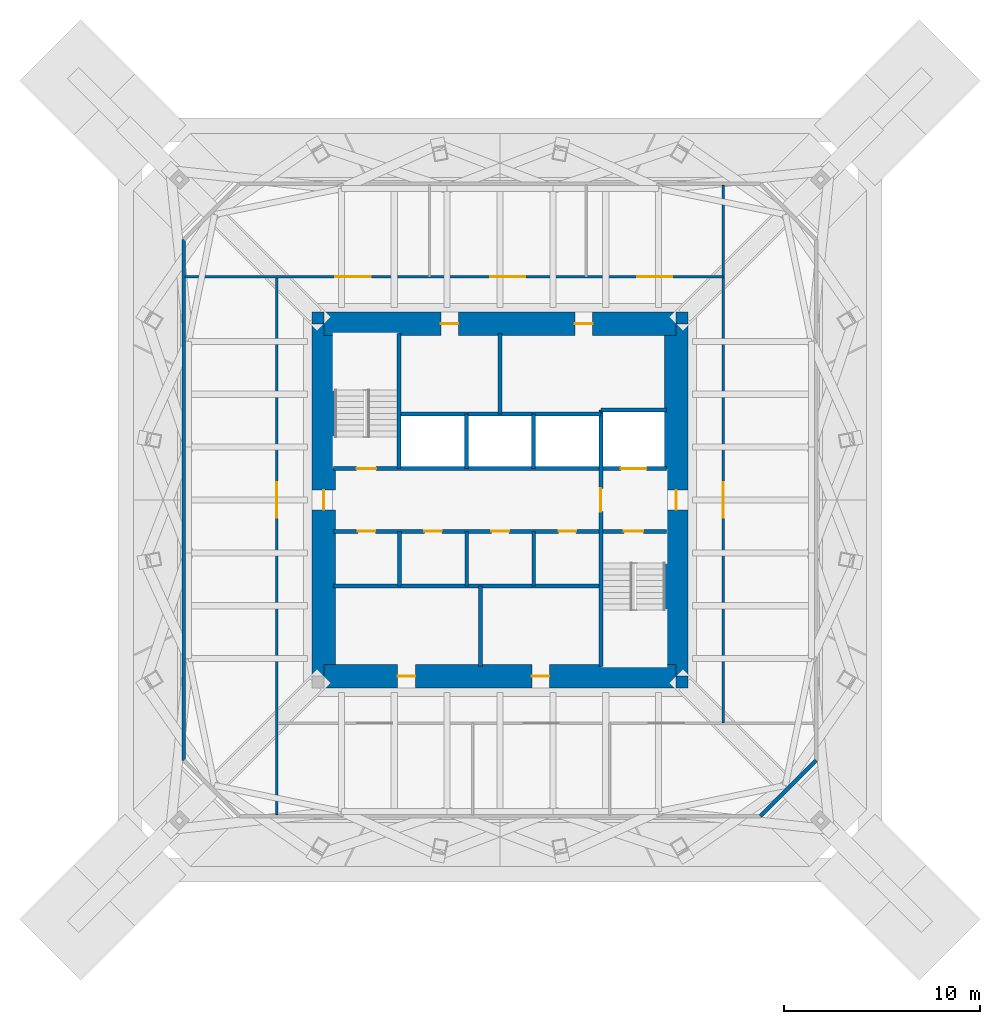
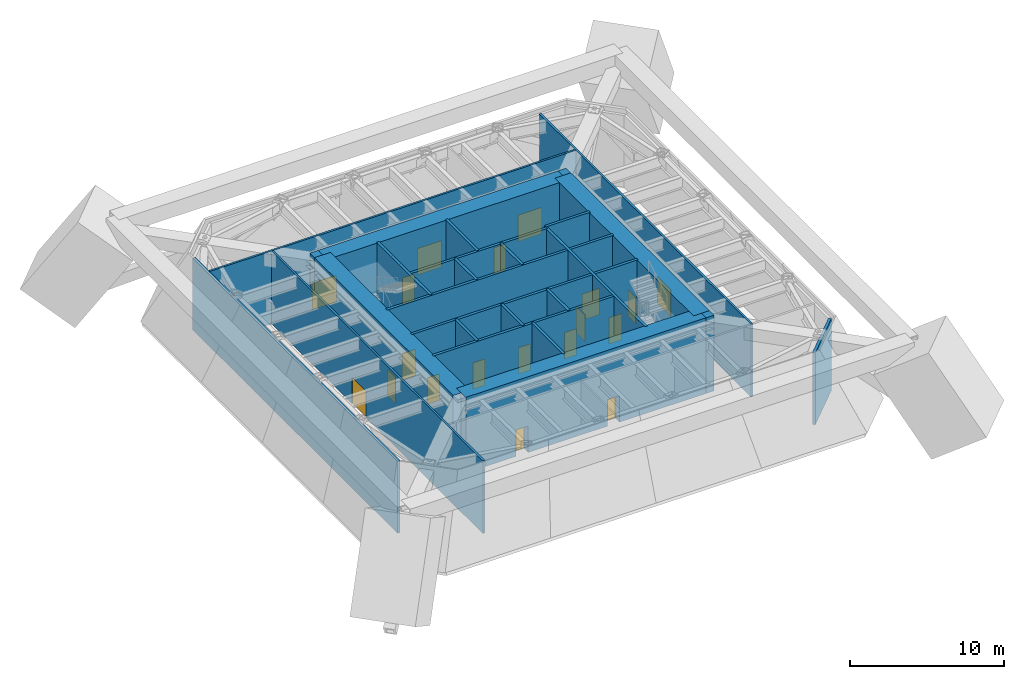
# One storey, part 4 of 6: 26 walls, 19 doors, 19 openings.
"""IFC4 building model written with IfcOpenShell, lengths in metres."""

from ifc_helpers import new_model, si_unit, direction, frame, frame_2d, origin, place, context, subcontext, project, spatial, rectangle, extrude, material, layer, layer_set, type_object, element, fill, save


model = new_model("IFC4")

# Units and contexts
model_context = context("Model", 3, precision=1e-05, world=origin(), true_north=direction((0.0, 1.0)))
body_context = subcontext(model_context, "Body", "Model", "MODEL_VIEW")
ifc_project = project(units=[si_unit("LENGTHUNIT", "METRE"), si_unit("AREAUNIT", "SQUARE_METRE"), si_unit("VOLUMEUNIT", "CUBIC_METRE"), si_unit("PLANEANGLEUNIT", "RADIAN"), si_unit("MASSUNIT", "GRAM", prefix="KILO")], contexts=[model_context])

# Site, building, storey
site_placement = place(None, origin())
site = spatial("IfcSite", under=ifc_project, at=site_placement, CompositionType="ELEMENT")
building_placement = place(site_placement, origin())
building = spatial("IfcBuilding", under=site, at=building_placement, Name="Iwan Alto Co-Living Towers", CompositionType="ELEMENT")
storey_placement = place(building_placement, frame((0.0, 0.0, 209.0)))
storey = spatial("IfcBuildingStorey", under=building, at=storey_placement, Name="L57", CompositionType="ELEMENT", Elevation=209.0)

# Wall, openings, doors
ifc_material_1 = material(Name="Gypsum board")
ifc_layer_1 = layer(ifc_material_1, 0.02490234375, Name="Board", Category="Finish")
ifc_material_2 = material(Name="Steel ASTM A1003 ST33H cold-formed studs", Category="steel")
ifc_layer_2 = layer(ifc_material_2, 0.10009765625, Name="Studs", Category="Framing")
ifc_layer_3 = layer(ifc_material_1, 0.02490234375, Name="Board", Category="Finish")
ifc_layer_set_1 = layer_set([ifc_layer_1, ifc_layer_2, ifc_layer_3], Name="CORRIDOR WALL 150")
wall_type_1 = type_object("IfcWallType", Name="CORRIDOR WALL 150", PredefinedType="PARTITIONING", material=ifc_layer_set_1)
wall_1_placement = place(storey_placement, frame((-16.090087890625, 11.39990234375, 0.0), z_axis=(0.0, 0.0, 1.0), x_axis=(1.0, 0.0, 0.0)))
wall_1 = element("IfcWall", 1, at=wall_1_placement, inside=storey, type_object=wall_type_1, Name="Partition L57", PredefinedType="PARTITIONING", context=body_context, shape_type="SweptSolid", body=[
    extrude(rectangle(XDim=27.489990234375, YDim=0.14990234375, at=frame_2d((13.7451171875, 0.0))), origin(), (0.0, 0.0, 1.0), 5.77001953125),
])
opening_1_placement = place(wall_1_placement, frame((23.090087890625, 0.0, 0.0)))
opening_1 = element("IfcOpeningElement", 2, at=opening_1_placement, cuts=wall_1, Name="Opening D9", PredefinedType="OPENING", context=body_context, shape_type="SweptSolid", body=[
    extrude(rectangle(XDim=1.800048828125, YDim=2.10009765625, at=frame_2d((0.89990234375, 1.050048828125))), frame((0.0, 0.0849609375, 0.0), z_axis=(0.0, -1.0, 0.0), x_axis=(1.0, 0.0, 0.0)), (0.0, 0.0, 1.0), 0.169921875),
])
opening_2_placement = place(wall_1_placement, frame((15.590087890625, 0.0, 0.0)))
opening_2 = element("IfcOpeningElement", 3, at=opening_2_placement, cuts=wall_1, Name="Opening D9", PredefinedType="OPENING", context=body_context, shape_type="SweptSolid", body=[
    extrude(rectangle(XDim=1.800048828125, YDim=2.10009765625, at=frame_2d((0.89990234375, 1.050048828125))), frame((0.0, 0.0849609375, 0.0), z_axis=(0.0, -1.0, 0.0), x_axis=(1.0, 0.0, 0.0)), (0.0, 0.0, 1.0), 0.169921875),
])
opening_3_placement = place(wall_1_placement, frame((7.68994140625, 0.0, 0.0)))
opening_3 = element("IfcOpeningElement", 4, at=opening_3_placement, cuts=wall_1, Name="Opening D9", PredefinedType="OPENING", context=body_context, shape_type="SweptSolid", body=[
    extrude(rectangle(XDim=1.800048828125, YDim=2.10009765625, at=frame_2d((0.89990234375, 1.050048828125))), frame((0.0, 0.0849609375, 0.0), z_axis=(0.0, -1.0, 0.0), x_axis=(1.0, 0.0, 0.0)), (0.0, 0.0, 1.0), 0.169921875),
])
ifc_material_3 = material(Name="Steel frame with timber leaf", Category="steel")
door_type_1 = type_object("IfcDoorType", Name="LOUNGE DOOR FD30S 1800X2100", OperationType="DOUBLE_DOOR_SINGLE_SWING", PredefinedType="DOOR", material=ifc_material_3)
door_1_placement = place(opening_1_placement, origin())
door_1 = element("IfcDoor", 5, at=door_1_placement, inside=storey, type_object=door_type_1, Name="Transformer room door L57", OperationType="DOUBLE_DOOR_SINGLE_SWING", OverallHeight=2.10009765625, OverallWidth=1.800048828125, PredefinedType="DOOR", context=body_context, shape_type="SweptSolid", body=[
    extrude(rectangle(XDim=1.800048828125, YDim=2.10009765625, at=frame_2d((0.89990234375, 1.050048828125))), frame((0.0, 0.02490234375, 0.0), z_axis=(0.0, -1.0, 0.0), x_axis=(1.0, 0.0, 0.0)), (0.0, 0.0, 1.0), 0.050048828125),
])
fill(opening_1, door_1)
door_2_placement = place(opening_2_placement, origin())
door_2 = element("IfcDoor", 6, at=door_2_placement, inside=storey, type_object=door_type_1, Name="LV switch room door L57", OperationType="DOUBLE_DOOR_SINGLE_SWING", OverallHeight=2.10009765625, OverallWidth=1.800048828125, PredefinedType="DOOR", context=body_context, shape_type="SweptSolid", body=[
    extrude(rectangle(XDim=1.800048828125, YDim=2.10009765625, at=frame_2d((0.89990234375, 1.050048828125))), frame((0.0, 0.02490234375, 0.0), z_axis=(0.0, -1.0, 0.0), x_axis=(1.0, 0.0, 0.0)), (0.0, 0.0, 1.0), 0.050048828125),
])
fill(opening_2, door_2)
door_3_placement = place(opening_3_placement, origin())
door_3 = element("IfcDoor", 7, at=door_3_placement, inside=storey, type_object=door_type_1, Name="Plant room (air handling) door L57", OperationType="DOUBLE_DOOR_SINGLE_SWING", OverallHeight=2.10009765625, OverallWidth=1.800048828125, PredefinedType="DOOR", context=body_context, shape_type="SweptSolid", body=[
    extrude(rectangle(XDim=1.800048828125, YDim=2.10009765625, at=frame_2d((0.89990234375, 1.050048828125))), frame((0.0, 0.02490234375, 0.0), z_axis=(0.0, -1.0, 0.0), x_axis=(1.0, 0.0, 0.0)), (0.0, 0.0, 1.0), 0.050048828125),
])
fill(opening_3, door_3)

# Wall, opening, door
wall_2_placement = place(storey_placement, frame((11.39990234375, -11.39990234375, 0.0), z_axis=(0.0, 0.0, 1.0), x_axis=(0.0, 1.0, 0.0)))
wall_2 = element("IfcWall", 8, at=wall_2_placement, inside=storey, type_object=wall_type_1, Name="Partition L57", PredefinedType="PARTITIONING", context=body_context, shape_type="SweptSolid", body=[
    extrude(rectangle(XDim=27.489990234375, YDim=0.14990234375, at=frame_2d((13.7451171875, 0.0))), origin(), (0.0, 0.0, 1.0), 5.77001953125),
])
opening_4_placement = place(wall_2_placement, frame((10.5, 0.0, 0.0)))
opening_4 = element("IfcOpeningElement", 9, at=opening_4_placement, cuts=wall_2, Name="Opening D9", PredefinedType="OPENING", context=body_context, shape_type="SweptSolid", body=[
    extrude(rectangle(XDim=1.800048828125, YDim=2.10009765625, at=frame_2d((0.89990234375, 1.050048828125))), frame((0.0, 0.0849609375, 0.0), z_axis=(0.0, -1.0, 0.0), x_axis=(1.0, 0.0, 0.0)), (0.0, 0.0, 1.0), 0.169921875),
])
door_4_placement = place(opening_4_placement, origin())
door_4 = element("IfcDoor", 10, at=door_4_placement, inside=storey, type_object=door_type_1, Name="Refuge area door L57", OperationType="DOUBLE_DOOR_SINGLE_SWING", OverallHeight=2.10009765625, OverallWidth=1.800048828125, PredefinedType="DOOR", context=body_context, shape_type="SweptSolid", body=[
    extrude(rectangle(XDim=1.800048828125, YDim=2.10009765625, at=frame_2d((0.89990234375, 1.050048828125))), frame((0.0, 0.02490234375, 0.0), z_axis=(0.0, -1.0, 0.0), x_axis=(1.0, 0.0, 0.0)), (0.0, 0.0, 1.0), 0.050048828125),
])
fill(opening_4, door_4)

wall_3_placement = place(storey_placement, frame((-11.39990234375, -16.090087890625, 0.0), z_axis=(0.0, 0.0, 1.0), x_axis=(0.0, 1.0, 0.0)))
wall_3 = element("IfcWall", 11, at=wall_3_placement, inside=storey, type_object=wall_type_1, Name="Partition L57", PredefinedType="PARTITIONING", context=body_context, shape_type="SweptSolid", body=[
    extrude(rectangle(XDim=27.489990234375, YDim=0.14990234375, at=frame_2d((13.7451171875, 0.0))), origin(), (0.0, 0.0, 1.0), 5.77001953125),
])
opening_5_placement = place(wall_3_placement, frame((15.18994140625, 0.0, 0.0)))
opening_5 = element("IfcOpeningElement", 12, at=opening_5_placement, cuts=wall_3, Name="Opening D9", PredefinedType="OPENING", context=body_context, shape_type="SweptSolid", body=[
    extrude(rectangle(XDim=1.800048828125, YDim=2.10009765625, at=frame_2d((0.89990234375, 1.050048828125))), frame((0.0, 0.0849609375, 0.0), z_axis=(0.0, -1.0, 0.0), x_axis=(1.0, 0.0, 0.0)), (0.0, 0.0, 1.0), 0.169921875),
])
door_5_placement = place(opening_5_placement, frame((1.800048828125, 0.0, 0.0), z_axis=(0.0, 0.0, 1.0), x_axis=(-1.0, 0.0, 0.0)))
door_5 = element("IfcDoor", 13, at=door_5_placement, inside=storey, type_object=door_type_1, Name="Refuge area door L57", OperationType="DOUBLE_DOOR_SINGLE_SWING", OverallHeight=2.10009765625, OverallWidth=1.800048828125, PredefinedType="DOOR", context=body_context, shape_type="SweptSolid", body=[
    extrude(rectangle(XDim=1.800048828125, YDim=2.10009765625, at=frame_2d((0.89990234375, 1.050048828125))), frame((0.0, 0.02490234375, 0.0), z_axis=(0.0, -1.0, 0.0), x_axis=(1.0, 0.0, 0.0)), (0.0, 0.0, 1.0), 0.050048828125),
])
fill(opening_5, door_5)

# Walls
ifc_material_4 = material(Name="Aluminium 6063-T6 bronze anodised", Category="aluminium")
ifc_layer_4 = layer(ifc_material_4, 0.050048828125, Name="Louvred screen", Category="Finish")
ifc_layer_5 = layer(ifc_material_2, 0.14990234375, Name="Studs", Category="Framing")
ifc_layer_set_2 = layer_set([ifc_layer_4, ifc_layer_5], Name="PLANT PLENUM WALL 200")
wall_type_2 = type_object("IfcWallType", Name="PLANT PLENUM WALL 200", PredefinedType="PARTITIONING", material=ifc_layer_set_2)
wall_4_placement = place(storey_placement, frame((13.294921875, -16.14990234375, 0.0), z_axis=(0.0, 0.0, 1.0), x_axis=(0.707106781187, 0.707106781187, 0.0)))
element("IfcWall", 14, at=wall_4_placement, inside=storey, type_object=wall_type_2, Name="T1 plant plenum wall L57 2", PredefinedType="PARTITIONING", context=body_context, shape_type="SweptSolid", body=[
    extrude(rectangle(XDim=4.03759765625, YDim=0.199951171875, at=frame_2d((2.018798828125, 0.0))), origin(), (0.0, 0.0, 1.0), 5.699951171875),
])
wall_5_placement = place(storey_placement, frame((-16.14990234375, 13.294921875, 0.0), z_axis=(0.0, 0.0, 1.0), x_axis=(0.0, -1.0, 0.0)))
element("IfcWall", 15, at=wall_5_placement, inside=storey, type_object=wall_type_2, Name="T1 plant plenum wall L57 7", PredefinedType="PARTITIONING", context=body_context, shape_type="SweptSolid", body=[
    extrude(rectangle(XDim=26.58984375, YDim=0.199951171875, at=frame_2d((13.294921875, 0.0))), origin(), (0.0, 0.0, 1.0), 5.699951171875),
])
ifc_material_5 = material(Name="Concrete f'c 70 MPa", Category="concrete")
ifc_layer_6 = layer(ifc_material_5, 0.199951171875)
ifc_layer_set_3 = layer_set([ifc_layer_6], Name="SHAFT WALL 200")
wall_type_3 = type_object("IfcWallType", Name="SHAFT WALL 200", PredefinedType="SOLIDWALL", material=ifc_layer_set_3)
wall_6_placement = place(storey_placement, frame((-8.489990234375, -4.39990234375, 0.0), z_axis=(0.0, 0.0, 1.0), x_axis=(1.0, 0.0, 0.0)))
element("IfcWall", 16, at=wall_6_placement, inside=storey, type_object=wall_type_3, Name="Shaft wall L57", PredefinedType="SOLIDWALL", context=body_context, shape_type="SweptSolid", body=[
    extrude(rectangle(XDim=13.639892578125, YDim=0.199951171875, at=frame_2d((6.81982421875, 0.0))), origin(), (0.0, 0.0, 1.0), 6.0),
])

# Wall, openings, doors
wall_7_placement = place(storey_placement, frame((-8.489990234375, -1.60009765625, 0.0), z_axis=(0.0, 0.0, 1.0), x_axis=(1.0, 0.0, 0.0)))
wall_7 = element("IfcWall", 17, at=wall_7_placement, inside=storey, type_object=wall_type_3, Name="Shaft wall L57", PredefinedType="SOLIDWALL", context=body_context, shape_type="SweptSolid", body=[
    extrude(rectangle(XDim=16.97998046875, YDim=0.199951171875, at=frame_2d((8.489990234375, 0.0))), origin(), (0.0, 0.0, 1.0), 6.0),
])
opening_6_placement = place(wall_7_placement, frame((14.81005859375, 0.0, 0.0)))
opening_6 = element("IfcOpeningElement", 18, at=opening_6_placement, cuts=wall_7, Name="Opening D5", PredefinedType="OPENING", context=body_context, shape_type="SweptSolid", body=[
    extrude(rectangle(XDim=1.0, YDim=2.10009765625, at=frame_2d((0.5, 1.050048828125))), frame((0.0, 0.10986328125, 0.0), z_axis=(0.0, -1.0, 0.0), x_axis=(1.0, 0.0, 0.0)), (0.0, 0.0, 1.0), 0.219970703125),
])
opening_7_placement = place(wall_7_placement, frame((1.23193359375, 0.0, 0.0)))
opening_7 = element("IfcOpeningElement", 19, at=opening_7_placement, cuts=wall_7, Name="Opening D15", PredefinedType="OPENING", context=body_context, shape_type="SweptSolid", body=[
    extrude(rectangle(XDim=0.89990234375, YDim=2.10009765625, at=frame_2d((0.449951171875, 1.050048828125))), frame((0.0, 0.10986328125, 0.0), z_axis=(0.0, -1.0, 0.0), x_axis=(1.0, 0.0, 0.0)), (0.0, 0.0, 1.0), 0.219970703125),
])
opening_8_placement = place(wall_7_placement, frame((4.626953125, 0.0, 0.0)))
opening_8 = element("IfcOpeningElement", 20, at=opening_8_placement, cuts=wall_7, Name="Opening D15", PredefinedType="OPENING", context=body_context, shape_type="SweptSolid", body=[
    extrude(rectangle(XDim=0.89990234375, YDim=2.10009765625, at=frame_2d((0.449951171875, 1.050048828125))), frame((0.0, 0.10986328125, 0.0), z_axis=(0.0, -1.0, 0.0), x_axis=(1.0, 0.0, 0.0)), (0.0, 0.0, 1.0), 0.219970703125),
])
opening_9_placement = place(wall_7_placement, frame((8.052001953125, 0.0, 0.0)))
opening_9 = element("IfcOpeningElement", 21, at=opening_9_placement, cuts=wall_7, Name="Opening D15", PredefinedType="OPENING", context=body_context, shape_type="SweptSolid", body=[
    extrude(rectangle(XDim=0.89990234375, YDim=2.10009765625, at=frame_2d((0.449951171875, 1.050048828125))), frame((0.0, 0.10986328125, 0.0), z_axis=(0.0, -1.0, 0.0), x_axis=(1.0, 0.0, 0.0)), (0.0, 0.0, 1.0), 0.219970703125),
])
opening_10_placement = place(wall_7_placement, frame((11.47802734375, 0.0, 0.0)))
opening_10 = element("IfcOpeningElement", 22, at=opening_10_placement, cuts=wall_7, Name="Opening D15", PredefinedType="OPENING", context=body_context, shape_type="SweptSolid", body=[
    extrude(rectangle(XDim=0.89990234375, YDim=2.10009765625, at=frame_2d((0.449951171875, 1.050048828125))), frame((0.0, 0.10986328125, 0.0), z_axis=(0.0, -1.0, 0.0), x_axis=(1.0, 0.0, 0.0)), (0.0, 0.0, 1.0), 0.219970703125),
])
ifc_material_6 = material(Name="Steel frame with timber leaf", Category="steel")
door_type_2 = type_object("IfcDoorType", Name="CORE ROOM DOOR FD60S 900X2100", OperationType="SINGLE_SWING_LEFT", PredefinedType="DOOR", material=ifc_material_6)
door_6_placement = place(opening_7_placement, frame((0.89990234375, 0.0, 0.0), z_axis=(0.0, 0.0, 1.0), x_axis=(-1.0, 0.0, 0.0)))
door_6 = element("IfcDoor", 23, at=door_6_placement, inside=storey, type_object=door_type_2, Name="Electrical switch room door L57", OperationType="SINGLE_SWING_LEFT", OverallHeight=2.10009765625, OverallWidth=0.89990234375, PredefinedType="DOOR", context=body_context, shape_type="SweptSolid", body=[
    extrude(rectangle(XDim=0.89990234375, YDim=2.10009765625, at=frame_2d((0.449951171875, 1.050048828125))), frame((0.0, 0.02490234375, 0.0), z_axis=(0.0, -1.0, 0.0), x_axis=(1.0, 0.0, 0.0)), (0.0, 0.0, 1.0), 0.050048828125),
])
fill(opening_7, door_6)
door_7_placement = place(opening_8_placement, frame((0.89990234375, 0.0, 0.0), z_axis=(0.0, 0.0, 1.0), x_axis=(-1.0, 0.0, 0.0)))
door_7 = element("IfcDoor", 24, at=door_7_placement, inside=storey, type_object=door_type_2, Name="Booster pump plant room door L57", OperationType="SINGLE_SWING_RIGHT", OverallHeight=2.10009765625, OverallWidth=0.89990234375, PredefinedType="DOOR", context=body_context, shape_type="SweptSolid", body=[
    extrude(rectangle(XDim=0.89990234375, YDim=2.10009765625, at=frame_2d((0.449951171875, 1.050048828125))), frame((0.0, 0.02490234375, 0.0), z_axis=(0.0, -1.0, 0.0), x_axis=(1.0, 0.0, 0.0)), (0.0, 0.0, 1.0), 0.050048828125),
])
fill(opening_8, door_7)
door_8_placement = place(opening_9_placement, frame((0.89990234375, 0.0, 0.0), z_axis=(0.0, 0.0, 1.0), x_axis=(-1.0, 0.0, 0.0)))
door_8 = element("IfcDoor", 25, at=door_8_placement, inside=storey, type_object=door_type_2, Name="Sprinkler plant room door L57", OperationType="SINGLE_SWING_RIGHT", OverallHeight=2.10009765625, OverallWidth=0.89990234375, PredefinedType="DOOR", context=body_context, shape_type="SweptSolid", body=[
    extrude(rectangle(XDim=0.89990234375, YDim=2.10009765625, at=frame_2d((0.449951171875, 1.050048828125))), frame((0.0, 0.02490234375, 0.0), z_axis=(0.0, -1.0, 0.0), x_axis=(1.0, 0.0, 0.0)), (0.0, 0.0, 1.0), 0.050048828125),
])
fill(opening_9, door_8)
door_9_placement = place(opening_10_placement, frame((0.89990234375, 0.0, 0.0), z_axis=(0.0, 0.0, 1.0), x_axis=(-1.0, 0.0, 0.0)))
door_9 = element("IfcDoor", 26, at=door_9_placement, inside=storey, type_object=door_type_2, Name="Water tank room door L57", OperationType="SINGLE_SWING_RIGHT", OverallHeight=2.10009765625, OverallWidth=0.89990234375, PredefinedType="DOOR", context=body_context, shape_type="SweptSolid", body=[
    extrude(rectangle(XDim=0.89990234375, YDim=2.10009765625, at=frame_2d((0.449951171875, 1.050048828125))), frame((0.0, 0.02490234375, 0.0), z_axis=(0.0, -1.0, 0.0), x_axis=(1.0, 0.0, 0.0)), (0.0, 0.0, 1.0), 0.050048828125),
])
fill(opening_10, door_9)
ifc_material_7 = material(Name="Steel frame with timber leaf", Category="steel")
door_type_3 = type_object("IfcDoorType", Name="STAIR DOOR FD120S 1000X2100", OperationType="SINGLE_SWING_LEFT", PredefinedType="DOOR", material=ifc_material_7)
door_10_placement = place(opening_6_placement, frame((1.0, 0.0, 0.0), z_axis=(0.0, 0.0, 1.0), x_axis=(-1.0, 0.0, 0.0)))
door_10 = element("IfcDoor", 27, at=door_10_placement, inside=storey, type_object=door_type_3, Name="Stair S2 door L57", OperationType="SINGLE_SWING_RIGHT", OverallHeight=2.10009765625, OverallWidth=1.0, PredefinedType="DOOR", context=body_context, shape_type="SweptSolid", body=[
    extrude(rectangle(XDim=1.0, YDim=2.10009765625, at=frame_2d((0.5, 1.050048828125))), frame((0.0, 0.02490234375, 0.0), z_axis=(0.0, -1.0, 0.0), x_axis=(1.0, 0.0, 0.0)), (0.0, 0.0, 1.0), 0.050048828125),
])
fill(opening_6, door_10)

wall_8_placement = place(storey_placement, frame((-8.489990234375, 1.60009765625, 0.0), z_axis=(0.0, 0.0, 1.0), x_axis=(1.0, 0.0, 0.0)))
wall_8 = element("IfcWall", 28, at=wall_8_placement, inside=storey, type_object=wall_type_3, Name="Shaft wall L57", PredefinedType="SOLIDWALL", context=body_context, shape_type="SweptSolid", body=[
    extrude(rectangle(XDim=16.97998046875, YDim=0.199951171875, at=frame_2d((8.489990234375, 0.0))), origin(), (0.0, 0.0, 1.0), 6.0),
])
opening_11_placement = place(wall_8_placement, frame((1.169921875, 0.0, 0.0)))
opening_11 = element("IfcOpeningElement", 29, at=opening_11_placement, cuts=wall_8, Name="Opening D5", PredefinedType="OPENING", context=body_context, shape_type="SweptSolid", body=[
    extrude(rectangle(XDim=1.0, YDim=2.10009765625, at=frame_2d((0.5, 1.050048828125))), frame((0.0, 0.10986328125, 0.0), z_axis=(0.0, -1.0, 0.0), x_axis=(1.0, 0.0, 0.0)), (0.0, 0.0, 1.0), 0.219970703125),
])
opening_12_placement = place(wall_8_placement, frame((14.659912109375, 0.0, 0.0)))
opening_12 = element("IfcOpeningElement", 30, at=opening_12_placement, cuts=wall_8, Name="Opening LD2", PredefinedType="OPENING", context=body_context, shape_type="SweptSolid", body=[
    extrude(rectangle(XDim=1.300048828125, YDim=2.10009765625, at=frame_2d((0.64990234375, 1.050048828125))), frame((0.0, 0.10986328125, 0.0), z_axis=(0.0, -1.0, 0.0), x_axis=(1.0, 0.0, 0.0)), (0.0, 0.0, 1.0), 0.219970703125),
])
ifc_material_8 = material(Name="Steel frame with timber leaf", Category="steel")
door_type_4 = type_object("IfcDoorType", Name="LIFT LANDING DOOR 1300X2100", OperationType="SLIDING_TO_LEFT", PredefinedType="DOOR", material=ifc_material_8)
door_11_placement = place(opening_12_placement, origin())
door_11 = element("IfcDoor", 31, at=door_11_placement, inside=storey, type_object=door_type_4, Name="Lift FL1 landing door L57", OperationType="SLIDING_TO_LEFT", OverallHeight=2.10009765625, OverallWidth=1.300048828125, PredefinedType="DOOR", context=body_context, shape_type="SweptSolid", body=[
    extrude(rectangle(XDim=1.300048828125, YDim=2.10009765625, at=frame_2d((0.64990234375, 1.050048828125))), frame((0.0, 0.02490234375, 0.0), z_axis=(0.0, -1.0, 0.0), x_axis=(1.0, 0.0, 0.0)), (0.0, 0.0, 1.0), 0.050048828125),
])
fill(opening_12, door_11)
door_12_placement = place(opening_11_placement, origin())
door_12 = element("IfcDoor", 32, at=door_12_placement, inside=storey, type_object=door_type_3, Name="Stair S1 door L57", OperationType="SINGLE_SWING_RIGHT", OverallHeight=2.10009765625, OverallWidth=1.0, PredefinedType="DOOR", context=body_context, shape_type="SweptSolid", body=[
    extrude(rectangle(XDim=1.0, YDim=2.10009765625, at=frame_2d((0.5, 1.050048828125))), frame((0.0, 0.02490234375, 0.0), z_axis=(0.0, -1.0, 0.0), x_axis=(1.0, 0.0, 0.0)), (0.0, 0.0, 1.0), 0.050048828125),
])
fill(opening_11, door_12)

# Walls
wall_9_placement = place(storey_placement, frame((-5.14990234375, 4.39990234375, 0.0), z_axis=(0.0, 0.0, 1.0), x_axis=(1.0, 0.0, 0.0)))
element("IfcWall", 33, at=wall_9_placement, inside=storey, type_object=wall_type_3, Name="Shaft wall L57", PredefinedType="SOLIDWALL", context=body_context, shape_type="SweptSolid", body=[
    extrude(rectangle(XDim=10.2998046875, YDim=0.199951171875, at=frame_2d((5.14990234375, 0.0))), origin(), (0.0, 0.0, 1.0), 6.0),
])
wall_10_placement = place(storey_placement, frame((5.14990234375, 4.60009765625, 0.0), z_axis=(0.0, 0.0, 1.0), x_axis=(1.0, 0.0, 0.0)))
element("IfcWall", 34, at=wall_10_placement, inside=storey, type_object=wall_type_3, Name="Shaft wall L57", PredefinedType="SOLIDWALL", context=body_context, shape_type="SweptSolid", body=[
    extrude(rectangle(XDim=3.340087890625, YDim=0.199951171875, at=frame_2d((1.669921875, 0.0))), origin(), (0.0, 0.0, 1.0), 6.0),
])

# Wall, opening, door
wall_11_placement = place(storey_placement, frame((5.14990234375, -8.489990234375, 0.0), z_axis=(0.0, 0.0, 1.0), x_axis=(0.0, 1.0, 0.0)))
wall_11 = element("IfcWall", 35, at=wall_11_placement, inside=storey, type_object=wall_type_3, Name="Shaft wall L57", PredefinedType="SOLIDWALL", context=body_context, shape_type="SweptSolid", body=[
    extrude(rectangle(XDim=13.090087890625, YDim=0.199951171875, at=frame_2d((6.544921875, 0.0))), origin(), (0.0, 0.0, 1.0), 6.0),
])
opening_13_placement = place(wall_11_placement, frame((7.889892578125, 0.0, 0.0)))
opening_13 = element("IfcOpeningElement", 36, at=opening_13_placement, cuts=wall_11, Name="Opening D6", PredefinedType="OPENING", context=body_context, shape_type="SweptSolid", body=[
    extrude(rectangle(XDim=1.199951171875, YDim=2.10009765625, at=frame_2d((0.60009765625, 1.050048828125))), frame((0.0, 0.10986328125, 0.0), z_axis=(0.0, -1.0, 0.0), x_axis=(1.0, 0.0, 0.0)), (0.0, 0.0, 1.0), 0.219970703125),
])
ifc_material_9 = material(Name="Steel frame with timber leaf", Category="steel")
door_type_5 = type_object("IfcDoorType", Name="LOBBY DOOR FD120S 1200X2100", OperationType="SINGLE_SWING_LEFT", PredefinedType="DOOR", material=ifc_material_9)
door_13_placement = place(opening_13_placement, frame((1.199951171875, 0.0, 0.0), z_axis=(0.0, 0.0, 1.0), x_axis=(-1.0, 0.0, 0.0)))
door_13 = element("IfcDoor", 37, at=door_13_placement, inside=storey, type_object=door_type_5, Name="Firefighting lobby door L57", OperationType="SINGLE_SWING_RIGHT", OverallHeight=2.10009765625, OverallWidth=1.199951171875, PredefinedType="DOOR", context=body_context, shape_type="SweptSolid", body=[
    extrude(rectangle(XDim=1.199951171875, YDim=2.10009765625, at=frame_2d((0.60009765625, 1.050048828125))), frame((0.0, 0.02490234375, 0.0), z_axis=(0.0, -1.0, 0.0), x_axis=(1.0, 0.0, 0.0)), (0.0, 0.0, 1.0), 0.050048828125),
])
fill(opening_13, door_13)

# Walls
for number, where, z_axis, x_axis, name in (
    (38, (1.72509765625, -4.39990234375, 0.0), (0.0, 0.0, 1.0), (0.0, 1.0, 0.0), "Shaft wall L57"),
    (39, (1.717041015625, 1.60009765625, 0.0), (0.0, 0.0, 1.0), (0.0, 1.0, 0.0), "Shaft wall L57"),
):
    element("IfcWall", number, at=place(storey_placement, frame(where, z_axis=z_axis, x_axis=x_axis)), inside=storey, type_object=wall_type_3, Name=name, PredefinedType="SOLIDWALL", context=body_context, shape_type="SweptSolid", body=[
        extrude(rectangle(XDim=2.7998046875, YDim=0.199951171875, at=frame_2d((1.39990234375, 0.0))), origin(), (0.0, 0.0, 1.0), 6.0),
    ])
for number, where, z_axis, x_axis, name in (
    (40, (0.0, 4.39990234375, 0.0), (0.0, 0.0, 1.0), (0.0, 1.0, 0.0), "Shaft wall L57"),
    (41, (-1.0, -8.489990234375, 0.0), (0.0, 0.0, 1.0), (0.0, 1.0, 0.0), "Shaft wall L57"),
):
    element("IfcWall", number, at=place(storey_placement, frame(where, z_axis=z_axis, x_axis=x_axis)), inside=storey, type_object=wall_type_3, Name=name, PredefinedType="SOLIDWALL", context=body_context, shape_type="SweptSolid", body=[
        extrude(rectangle(XDim=4.090087890625, YDim=0.199951171875, at=frame_2d((2.044921875, 0.0))), origin(), (0.0, 0.0, 1.0), 6.0),
    ])
for number, where, z_axis, x_axis, name in (
    (42, (-1.699951171875, -4.39990234375, 0.0), (0.0, 0.0, 1.0), (0.0, 1.0, 0.0), "Shaft wall L57"),
    (43, (-1.717041015625, 1.60009765625, 0.0), (0.0, 0.0, 1.0), (0.0, 1.0, 0.0), "Shaft wall L57"),
    (44, (-5.125, -4.39990234375, 0.0), (0.0, 0.0, 1.0), (0.0, 1.0, 0.0), "Shaft wall L57"),
):
    element("IfcWall", number, at=place(storey_placement, frame(where, z_axis=z_axis, x_axis=x_axis)), inside=storey, type_object=wall_type_3, Name=name, PredefinedType="SOLIDWALL", context=body_context, shape_type="SweptSolid", body=[
        extrude(rectangle(XDim=2.7998046875, YDim=0.199951171875, at=frame_2d((1.39990234375, 0.0))), origin(), (0.0, 0.0, 1.0), 6.0),
    ])
wall_12_placement = place(storey_placement, frame((-5.14990234375, 1.60009765625, 0.0), z_axis=(0.0, 0.0, 1.0), x_axis=(0.0, 1.0, 0.0)))
element("IfcWall", 45, at=wall_12_placement, inside=storey, type_object=wall_type_3, Name="Shaft wall L57", PredefinedType="SOLIDWALL", context=body_context, shape_type="SweptSolid", body=[
    extrude(rectangle(XDim=6.889892578125, YDim=0.199951171875, at=frame_2d((3.44482421875, 0.0))), origin(), (0.0, 0.0, 1.0), 6.0),
])
ifc_material_10 = material(Name="Concrete f'c 70 MPa", Category="concrete")
ifc_layer_7 = layer(ifc_material_10, 0.60009765625)
ifc_layer_set_4 = layer_set([ifc_layer_7], Name="T1 CORE CORNER FILL 600")
wall_type_4 = type_object("IfcWallType", Name="T1 CORE CORNER FILL 600", PredefinedType="SOLIDWALL", material=ifc_layer_set_4)
for number, where, z_axis, x_axis, name in (
    (46, (9.0, -9.300048828125, 0.0), (0.0, 0.0, 1.0), (1.0, 0.0, 0.0), "T1 core corner SE L57"),
    (47, (9.0, 9.300048828125, 0.0), (0.0, 0.0, 1.0), (1.0, 0.0, 0.0), "T1 core corner NE L57"),
    (48, (-9.60009765625, 9.300048828125, 0.0), (0.0, 0.0, 1.0), (1.0, 0.0, 0.0), "T1 core corner NW L57"),
):
    element("IfcWall", number, at=place(storey_placement, frame(where, z_axis=z_axis, x_axis=x_axis)), inside=storey, type_object=wall_type_4, Name=name, PredefinedType="SOLIDWALL", context=body_context, shape_type="SweptSolid", body=[
        extrude(rectangle(XDim=0.60009765625, YDim=0.60009765625, at=frame_2d((0.300048828125, 0.0))), origin(), (0.0, 0.0, 1.0), 6.0),
    ])

# Wall, openings, doors
ifc_material_11 = material(Name="Concrete f'c 70 MPa", Category="concrete")
ifc_layer_8 = layer(ifc_material_11, 1.199951171875)
ifc_layer_set_5 = layer_set([ifc_layer_8], Name="T1 CORE WALL 1200")
wall_type_5 = type_object("IfcWallType", Name="T1 CORE WALL 1200", PredefinedType="SHEAR", material=ifc_layer_set_5)
wall_13_placement = place(storey_placement, frame((-9.0, -9.0, 0.0), z_axis=(0.0, 0.0, 1.0), x_axis=(1.0, 0.0, 0.0)))
wall_13 = element("IfcWall", 49, at=wall_13_placement, inside=storey, type_object=wall_type_5, Name="T1 core wall S L57", PredefinedType="SHEAR", context=body_context, shape_type="SweptSolid", body=[
    extrude(rectangle(XDim=18.0, YDim=1.199951171875, at=frame_2d((9.0, 0.0))), origin(), (0.0, 0.0, 1.0), 6.0),
])
opening_14_placement = place(wall_13_placement, frame((3.77490234375, 0.0, 0.0)))
opening_14 = element("IfcOpeningElement", 50, at=opening_14_placement, cuts=wall_13, Name="Opening D8", PredefinedType="OPENING", context=body_context, shape_type="SweptSolid", body=[
    extrude(rectangle(XDim=0.89990234375, YDim=2.10009765625, at=frame_2d((0.449951171875, 1.050048828125))), frame((0.0, 0.60986328125, 0.0), z_axis=(0.0, -1.0, 0.0), x_axis=(1.0, 0.0, 0.0)), (0.0, 0.0, 1.0), 1.219970703125),
])
opening_15_placement = place(wall_13_placement, frame((10.625, 0.0, 0.0)))
opening_15 = element("IfcOpeningElement", 51, at=opening_15_placement, cuts=wall_13, Name="Opening D8", PredefinedType="OPENING", context=body_context, shape_type="SweptSolid", body=[
    extrude(rectangle(XDim=0.89990234375, YDim=2.10009765625, at=frame_2d((0.449951171875, 1.050048828125))), frame((0.0, 0.60986328125, 0.0), z_axis=(0.0, -1.0, 0.0), x_axis=(1.0, 0.0, 0.0)), (0.0, 0.0, 1.0), 1.219970703125),
])
ifc_material_12 = material(Name="Steel frame with timber leaf", Category="steel")
door_type_6 = type_object("IfcDoorType", Name="RISER DOOR FD120 900X2100", OperationType="SINGLE_SWING_LEFT", PredefinedType="DOOR", material=ifc_material_12)
door_14_placement = place(opening_14_placement, origin())
door_14 = element("IfcDoor", 52, at=door_14_placement, inside=storey, type_object=door_type_6, Name="Refuse chute riser core door L57", OperationType="SINGLE_SWING_LEFT", OverallHeight=2.10009765625, OverallWidth=0.89990234375, PredefinedType="DOOR", context=body_context, shape_type="SweptSolid", body=[
    extrude(rectangle(XDim=0.89990234375, YDim=2.10009765625, at=frame_2d((0.449951171875, 1.050048828125))), frame((0.0, 0.02490234375, 0.0), z_axis=(0.0, -1.0, 0.0), x_axis=(1.0, 0.0, 0.0)), (0.0, 0.0, 1.0), 0.050048828125),
])
fill(opening_14, door_14)
door_15_placement = place(opening_15_placement, origin())
door_15 = element("IfcDoor", 53, at=door_15_placement, inside=storey, type_object=door_type_6, Name="Telecom riser core door L57", OperationType="SINGLE_SWING_LEFT", OverallHeight=2.10009765625, OverallWidth=0.89990234375, PredefinedType="DOOR", context=body_context, shape_type="SweptSolid", body=[
    extrude(rectangle(XDim=0.89990234375, YDim=2.10009765625, at=frame_2d((0.449951171875, 1.050048828125))), frame((0.0, 0.02490234375, 0.0), z_axis=(0.0, -1.0, 0.0), x_axis=(1.0, 0.0, 0.0)), (0.0, 0.0, 1.0), 0.050048828125),
])
fill(opening_15, door_15)

wall_14_placement = place(storey_placement, frame((9.0, 9.0, 0.0), z_axis=(0.0, 0.0, 1.0), x_axis=(-1.0, 0.0, 0.0)))
wall_14 = element("IfcWall", 54, at=wall_14_placement, inside=storey, type_object=wall_type_5, Name="T1 core wall N L57", PredefinedType="SHEAR", context=body_context, shape_type="SweptSolid", body=[
    extrude(rectangle(XDim=18.0, YDim=1.199951171875, at=frame_2d((9.0, 0.0))), origin(), (0.0, 0.0, 1.0), 6.0),
])
opening_16_placement = place(wall_14_placement, frame((11.125, 0.0, 0.0)))
opening_16 = element("IfcOpeningElement", 55, at=opening_16_placement, cuts=wall_14, Name="Opening D8", PredefinedType="OPENING", context=body_context, shape_type="SweptSolid", body=[
    extrude(rectangle(XDim=0.89990234375, YDim=2.10009765625, at=frame_2d((0.449951171875, 1.050048828125))), frame((0.0, 0.60986328125, 0.0), z_axis=(0.0, -1.0, 0.0), x_axis=(1.0, 0.0, 0.0)), (0.0, 0.0, 1.0), 1.219970703125),
])
opening_17_placement = place(wall_14_placement, frame((4.27490234375, 0.0, 0.0)))
opening_17 = element("IfcOpeningElement", 56, at=opening_17_placement, cuts=wall_14, Name="Opening D8", PredefinedType="OPENING", context=body_context, shape_type="SweptSolid", body=[
    extrude(rectangle(XDim=0.89990234375, YDim=2.10009765625, at=frame_2d((0.449951171875, 1.050048828125))), frame((0.0, 0.60986328125, 0.0), z_axis=(0.0, -1.0, 0.0), x_axis=(1.0, 0.0, 0.0)), (0.0, 0.0, 1.0), 1.219970703125),
])
door_16_placement = place(opening_16_placement, origin())
door_16 = element("IfcDoor", 57, at=door_16_placement, inside=storey, type_object=door_type_6, Name="Electrical riser core door L57", OperationType="SINGLE_SWING_RIGHT", OverallHeight=2.10009765625, OverallWidth=0.89990234375, PredefinedType="DOOR", context=body_context, shape_type="SweptSolid", body=[
    extrude(rectangle(XDim=0.89990234375, YDim=2.10009765625, at=frame_2d((0.449951171875, 1.050048828125))), frame((0.0, 0.02490234375, 0.0), z_axis=(0.0, -1.0, 0.0), x_axis=(1.0, 0.0, 0.0)), (0.0, 0.0, 1.0), 0.050048828125),
])
fill(opening_16, door_16)
door_17_placement = place(opening_17_placement, origin())
door_17 = element("IfcDoor", 58, at=door_17_placement, inside=storey, type_object=door_type_6, Name="Water and drainage riser core door L57", OperationType="SINGLE_SWING_RIGHT", OverallHeight=2.10009765625, OverallWidth=0.89990234375, PredefinedType="DOOR", context=body_context, shape_type="SweptSolid", body=[
    extrude(rectangle(XDim=0.89990234375, YDim=2.10009765625, at=frame_2d((0.449951171875, 1.050048828125))), frame((0.0, 0.02490234375, 0.0), z_axis=(0.0, -1.0, 0.0), x_axis=(1.0, 0.0, 0.0)), (0.0, 0.0, 1.0), 0.050048828125),
])
fill(opening_17, door_17)

# Wall, opening, door
wall_15_placement = place(storey_placement, frame((9.0, -9.0, 0.0), z_axis=(0.0, 0.0, 1.0), x_axis=(0.0, 1.0, 0.0)))
wall_15 = element("IfcWall", 59, at=wall_15_placement, inside=storey, type_object=wall_type_5, Name="T1 core wall E L57", PredefinedType="SHEAR", context=body_context, shape_type="SweptSolid", body=[
    extrude(rectangle(XDim=18.0, YDim=1.199951171875, at=frame_2d((9.0, 0.0))), origin(), (0.0, 0.0, 1.0), 6.0),
])
opening_18_placement = place(wall_15_placement, frame((8.5, 0.0, 0.0)))
opening_18 = element("IfcOpeningElement", 60, at=opening_18_placement, cuts=wall_15, Name="Opening D7", PredefinedType="OPENING", context=body_context, shape_type="SweptSolid", body=[
    extrude(rectangle(XDim=1.0, YDim=2.10009765625, at=frame_2d((0.5, 1.050048828125))), frame((0.0, 0.60986328125, 0.0), z_axis=(0.0, -1.0, 0.0), x_axis=(1.0, 0.0, 0.0)), (0.0, 0.0, 1.0), 1.219970703125),
])
ifc_material_13 = material(Name="Steel frame with timber leaf", Category="steel")
door_type_7 = type_object("IfcDoorType", Name="CORE DOOR FD120S 1000X2100", OperationType="SINGLE_SWING_LEFT", PredefinedType="DOOR", material=ifc_material_13)
door_18_placement = place(opening_18_placement, origin())
door_18 = element("IfcDoor", 61, at=door_18_placement, inside=storey, type_object=door_type_7, Name="Firefighting lobby core door L57", OperationType="SINGLE_SWING_LEFT", OverallHeight=2.10009765625, OverallWidth=1.0, PredefinedType="DOOR", context=body_context, shape_type="SweptSolid", body=[
    extrude(rectangle(XDim=1.0, YDim=2.10009765625, at=frame_2d((0.5, 1.050048828125))), frame((0.0, 0.02490234375, 0.0), z_axis=(0.0, -1.0, 0.0), x_axis=(1.0, 0.0, 0.0)), (0.0, 0.0, 1.0), 0.050048828125),
])
fill(opening_18, door_18)

wall_16_placement = place(storey_placement, frame((-9.0, 9.0, 0.0), z_axis=(0.0, 0.0, 1.0), x_axis=(0.0, -1.0, 0.0)))
wall_16 = element("IfcWall", 62, at=wall_16_placement, inside=storey, type_object=wall_type_5, Name="T1 core wall W L57", PredefinedType="SHEAR", context=body_context, shape_type="SweptSolid", body=[
    extrude(rectangle(XDim=18.0, YDim=1.199951171875, at=frame_2d((9.0, 0.0))), origin(), (0.0, 0.0, 1.0), 6.0),
])
opening_19_placement = place(wall_16_placement, frame((8.5, 0.0, 0.0)))
opening_19 = element("IfcOpeningElement", 63, at=opening_19_placement, cuts=wall_16, Name="Opening D7", PredefinedType="OPENING", context=body_context, shape_type="SweptSolid", body=[
    extrude(rectangle(XDim=1.0, YDim=2.10009765625, at=frame_2d((0.5, 1.050048828125))), frame((0.0, 0.60986328125, 0.0), z_axis=(0.0, -1.0, 0.0), x_axis=(1.0, 0.0, 0.0)), (0.0, 0.0, 1.0), 1.219970703125),
])
door_19_placement = place(opening_19_placement, origin())
door_19 = element("IfcDoor", 64, at=door_19_placement, inside=storey, type_object=door_type_7, Name="Lift lobby core door L57", OperationType="SINGLE_SWING_RIGHT", OverallHeight=2.10009765625, OverallWidth=1.0, PredefinedType="DOOR", context=body_context, shape_type="SweptSolid", body=[
    extrude(rectangle(XDim=1.0, YDim=2.10009765625, at=frame_2d((0.5, 1.050048828125))), frame((0.0, 0.02490234375, 0.0), z_axis=(0.0, -1.0, 0.0), x_axis=(1.0, 0.0, 0.0)), (0.0, 0.0, 1.0), 0.050048828125),
])
fill(opening_19, door_19)

save(model, "model.ifc")
